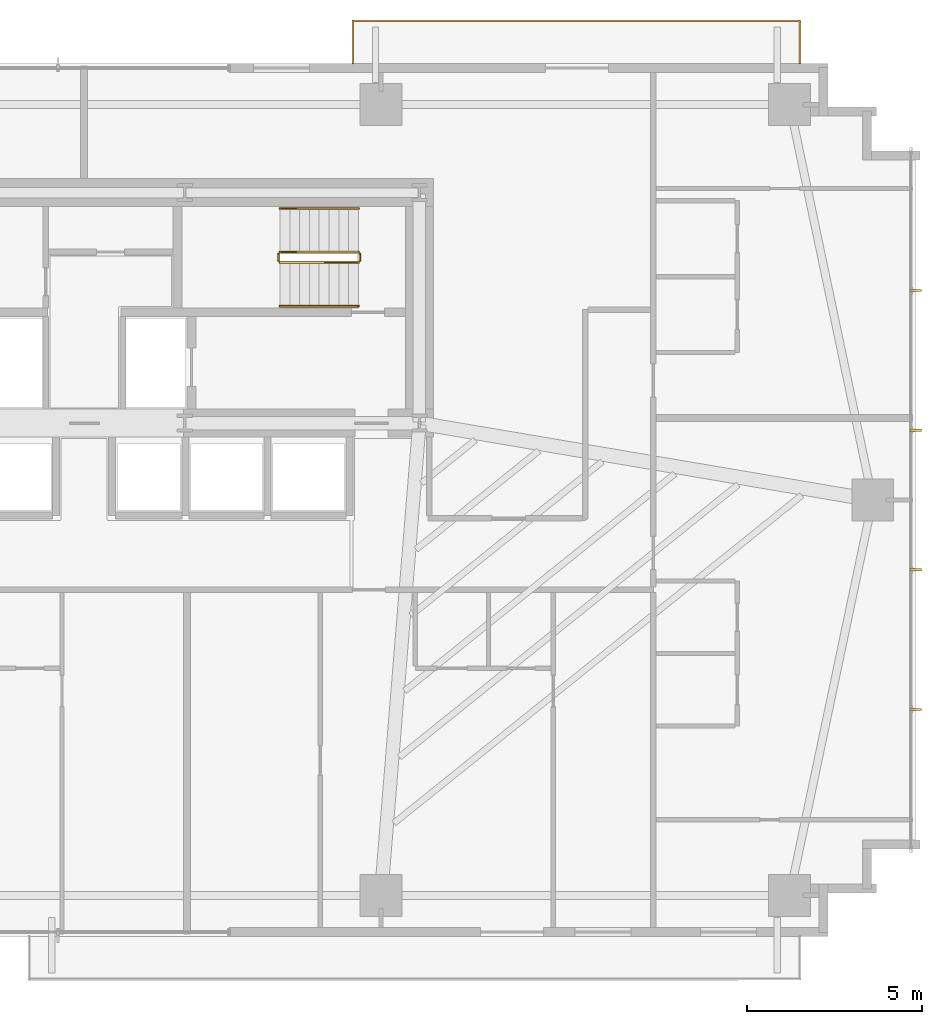
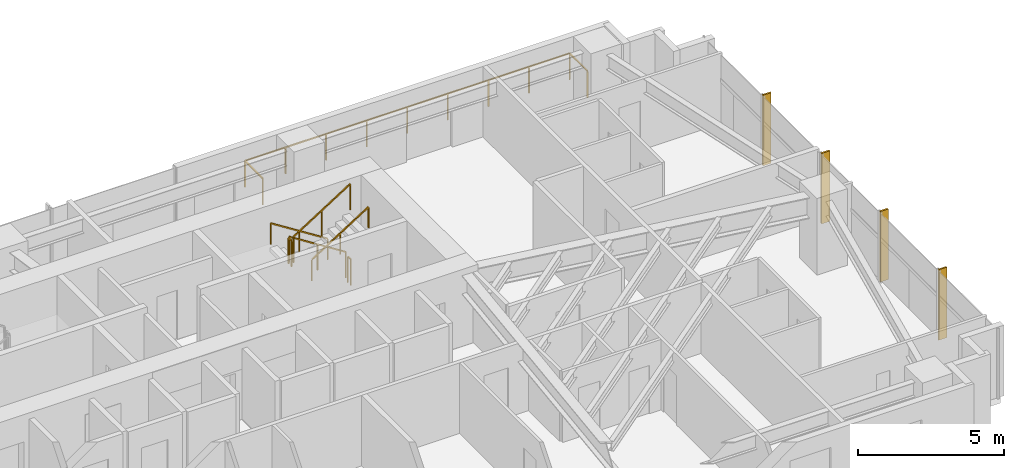
# One storey, part 25 of 25: 7 railings, 4 shading devices.
"""IFC4 building model written with IfcOpenShell, lengths in metres."""

from ifc_helpers import new_model, si_unit, direction, frame, origin, origin_2d, place, context, subcontext, project, spatial, rectangle, extrude, source, transform, mapped, material, type_object, type_shapes, element, save


model = new_model("IFC4")

# Units and contexts
model_context = context("Model", 3, precision=1e-05, world=origin(), true_north=direction((0.0, 1.0)))
body_context = subcontext(model_context, "Body", "Model", "MODEL_VIEW")
ifc_project = project(units=[si_unit("LENGTHUNIT", "METRE"), si_unit("AREAUNIT", "SQUARE_METRE"), si_unit("VOLUMEUNIT", "CUBIC_METRE"), si_unit("PLANEANGLEUNIT", "RADIAN"), si_unit("MASSUNIT", "GRAM", prefix="KILO")], contexts=[model_context])

# Site, building, storey
site_placement = place(None, origin())
site = spatial("IfcSite", under=ifc_project, at=site_placement, CompositionType="ELEMENT")
building_placement = place(site_placement, origin())
building = spatial("IfcBuilding", under=site, at=building_placement, Name="Astriad Promenade Condominiums", CompositionType="ELEMENT")
storey_placement = place(building_placement, frame((0.0, 0.0, 48.60009765625)))
storey = spatial("IfcBuildingStorey", under=building, at=storey_placement, Name="L13", CompositionType="ELEMENT", Elevation=48.60009765625)

# Shading devices
ifc_material_1 = material(Name="Anodised aluminium 6063-T6 Black Fin", Category="aluminium")
shading_device_type = type_object("IfcShadingDeviceType", Name="FIN-BLACK-320", PredefinedType="USERDEFINED", material=ifc_material_1)
shared_shape_1 = source(origin(), body_context, "Body", "SweptSolid", [
    extrude(rectangle(XDim=0.06494140625, YDim=0.320068359375, at=origin_2d()), origin(), (0.0, 0.0, 1.0), 2.93994140625),
])
type_shapes(shading_device_type, [shared_shape_1])
for number, where, z_axis, x_axis, name in (
    (1, (59.81005859375, 21.199951171875, 0.0), (0.0, 0.0, 1.0), (0.0, -1.0, 0.0), "CW-L13-E-FIN-01"),
    (2, (59.81005859375, 17.199951171875, 0.0), (0.0, 0.0, 1.0), (0.0, -1.0, 0.0), "CW-L13-E-FIN-02"),
    (3, (59.81005859375, 13.199951171875, 0.0), (0.0, 0.0, 1.0), (0.0, -1.0, 0.0), "CW-L13-E-FIN-03"),
    (4, (59.81005859375, 9.199951171875, 0.0), (0.0, 0.0, 1.0), (0.0, -1.0, 0.0), "CW-L13-E-FIN-04"),
):
    element("IfcShadingDevice", number, at=place(storey_placement, frame(where, z_axis=z_axis, x_axis=x_axis)), inside=storey, type_object=shading_device_type, Name=name, ObjectType="FIN", PredefinedType="USERDEFINED", context=body_context, shape_type="MappedRepresentation", body=[
        mapped(shared_shape_1, transform((0.0, 0.0, 0.0), scale=1.0)),
    ])

# Railings
ifc_material_2 = material(Name="Laminated Glass and Stainless Steel Balustrade", Category="steel")
railing_type_1 = type_object("IfcRailingType", Name="GRD-BALC-1120", PredefinedType="BALUSTRADE", material=ifc_material_2)
shared_shape_2 = source(origin(), body_context, "Body", "SweptSolid", [
    extrude(rectangle(XDim=0.048095703125, YDim=0.048095703125, at=origin_2d()), frame((0.0, 0.0, 1.09619140625), z_axis=(0.0, 1.0, 0.0), x_axis=(-1.0, 0.0, 0.0)), (0.0, 0.0, 1.0), 1.219970703125),
    extrude(rectangle(XDim=0.048095703125, YDim=0.048095703125, at=origin_2d()), frame((0.0, 1.219970703125, 1.09619140625), z_axis=(-1.0, 0.0, 0.0), x_axis=(0.0, -1.0, 0.0)), (0.0, 0.0, 1.0), 12.803955078125),
    extrude(rectangle(XDim=0.048095703125, YDim=0.048095703125, at=origin_2d()), frame((-12.803955078125, 1.219970703125, 1.09619140625), z_axis=(0.0, -1.0, 0.0), x_axis=(1.0, 0.0, 0.0)), (0.0, 0.0, 1.0), 1.219970703125),
    extrude(rectangle(XDim=0.0419921875, YDim=0.0419921875, at=origin_2d()), origin(), (0.0, 0.0, 1.0), 1.072021484375),
    extrude(rectangle(XDim=0.0419921875, YDim=0.0419921875, at=origin_2d()), frame((0.0, 1.219970703125, 0.0)), (0.0, 0.0, 1.0), 1.072021484375),
    extrude(rectangle(XDim=0.0419921875, YDim=0.0419921875, at=origin_2d()), frame((-1.6005859375, 1.219970703125, 0.0)), (0.0, 0.0, 1.0), 1.072021484375),
    extrude(rectangle(XDim=0.0419921875, YDim=0.0419921875, at=origin_2d()), frame((-3.200927734375, 1.219970703125, 0.0)), (0.0, 0.0, 1.0), 1.072021484375),
    extrude(rectangle(XDim=0.0419921875, YDim=0.0419921875, at=origin_2d()), frame((-4.801513671875, 1.219970703125, 0.0)), (0.0, 0.0, 1.0), 1.072021484375),
    extrude(rectangle(XDim=0.0419921875, YDim=0.0419921875, at=origin_2d()), frame((-6.40185546875, 1.219970703125, 0.0)), (0.0, 0.0, 1.0), 1.072021484375),
    extrude(rectangle(XDim=0.0419921875, YDim=0.0419921875, at=origin_2d()), frame((-8.00244140625, 1.219970703125, 0.0)), (0.0, 0.0, 1.0), 1.072021484375),
    extrude(rectangle(XDim=0.0419921875, YDim=0.0419921875, at=origin_2d()), frame((-9.60302734375, 1.219970703125, 0.0)), (0.0, 0.0, 1.0), 1.072021484375),
    extrude(rectangle(XDim=0.0419921875, YDim=0.0419921875, at=origin_2d()), frame((-11.203369140625, 1.219970703125, 0.0)), (0.0, 0.0, 1.0), 1.072021484375),
    extrude(rectangle(XDim=0.0419921875, YDim=0.0419921875, at=origin_2d()), frame((-12.803955078125, 1.219970703125, 0.0)), (0.0, 0.0, 1.0), 1.072021484375),
    extrude(rectangle(XDim=0.0419921875, YDim=0.0419921875, at=origin_2d()), frame((-12.803955078125, 0.0, 0.0)), (0.0, 0.0, 1.0), 1.072021484375),
])
type_shapes(railing_type_1, [shared_shape_2])
railing_1_placement = place(storey_placement, frame((56.493896484375, 27.699951171875, 0.0)))
element("IfcRailing", 5, at=railing_1_placement, inside=storey, type_object=railing_type_1, Name="GRD-BALC-L13-NE", PredefinedType="BALUSTRADE", context=body_context, shape_type="MappedRepresentation", body=[
    mapped(shared_shape_2, transform((0.0, 0.0, 0.0), scale=1.0)),
])
ifc_material_3 = material(Name="Painted Galvanised Steel Guardrail", Category="steel")
railing_type_2 = type_object("IfcRailingType", Name="GRD-STAIR-1100", PredefinedType="GUARDRAIL", material=ifc_material_3)
shared_shape_3 = source(origin(), body_context, "Body", "SweptSolid", [
    extrude(rectangle(XDim=0.048095703125, YDim=0.048095703125, at=origin_2d()), frame((0.0, 0.0, 1.076171875), z_axis=(0.84418770128, 0.0, 0.536047689118), x_axis=(0.0, 1.0, 0.0)), (0.0, 0.0, 1.0), 2.6533203125),
    extrude(rectangle(XDim=0.0419921875, YDim=0.0419921875, at=origin_2d()), origin(), (0.0, 0.0, 1.0), 1.052001953125),
    extrude(rectangle(XDim=0.0419921875, YDim=0.0419921875, at=origin_2d()), frame((1.1201171875, 0.0, 0.711181640625)), (0.0, 0.0, 1.0), 1.052001953125),
    extrude(rectangle(XDim=0.0419921875, YDim=0.0419921875, at=origin_2d()), frame((2.239990234375, 0.0, 1.42236328125)), (0.0, 0.0, 1.0), 1.052001953125),
])
railing_2_placement = place(storey_placement, frame((41.610107421875, 22.0, 1.777587890625)))
element("IfcRailing", 6, at=railing_2_placement, inside=storey, type_object=railing_type_2, Name="L13 ST-2 stair guard 3", PredefinedType="GUARDRAIL", context=body_context, shape_type="MappedRepresentation", body=[
    mapped(shared_shape_3, transform((0.0, 0.0, 0.0), scale=1.0)),
])
shared_shape_4 = source(origin(), body_context, "Body", "SweptSolid", [
    extrude(rectangle(XDim=0.048095703125, YDim=0.048095703125, at=origin_2d()), frame((0.0, 0.0, 1.076171875), z_axis=(-0.8442293374, 0.0, 0.53598211339), x_axis=(0.0, -1.0, 0.0)), (0.0, 0.0, 1.0), 2.6533203125),
    extrude(rectangle(XDim=0.0419921875, YDim=0.0419921875, at=origin_2d()), origin(), (0.0, 0.0, 1.0), 1.052001953125),
    extrude(rectangle(XDim=0.0419921875, YDim=0.0419921875, at=origin_2d()), frame((-1.1201171875, 0.0, 0.7109375)), (0.0, 0.0, 1.0), 1.052001953125),
    extrude(rectangle(XDim=0.0419921875, YDim=0.0419921875, at=origin_2d()), frame((-2.239990234375, 0.0, 1.422119140625)), (0.0, 0.0, 1.0), 1.052001953125),
])
railing_3_placement = place(storey_placement, frame((43.85009765625, 22.300048828125, 0.177734375)))
element("IfcRailing", 7, at=railing_3_placement, inside=storey, type_object=railing_type_2, Name="L13 ST-2 stair guard 1", PredefinedType="GUARDRAIL", context=body_context, shape_type="MappedRepresentation", body=[
    mapped(shared_shape_4, transform((0.0, 0.0, 0.0), scale=1.0)),
])
ifc_material_4 = material(Name="Brushed Stainless Steel Handrail", Category="steel")
railing_type_3 = type_object("IfcRailingType", Name="HRL-STAIR-920", PredefinedType="HANDRAIL", material=ifc_material_4)
shared_shape_5 = source(origin(), body_context, "Body", "SweptSolid", [
    extrude(rectangle(XDim=0.048095703125, YDim=0.048095703125, at=origin_2d()), frame((0.0, 0.0, 0.8759765625), z_axis=(0.84418770128, 0.0, 0.536047689118), x_axis=(0.0, 1.0, 0.0)), (0.0, 0.0, 1.0), 2.6533203125),
    extrude(rectangle(XDim=0.0419921875, YDim=0.0419921875, at=origin_2d()), origin(), (0.0, 0.0, 1.0), 0.851806640625),
    extrude(rectangle(XDim=0.0419921875, YDim=0.0419921875, at=origin_2d()), frame((1.1201171875, 0.0, 0.711181640625)), (0.0, 0.0, 1.0), 0.851806640625),
    extrude(rectangle(XDim=0.0419921875, YDim=0.0419921875, at=origin_2d()), frame((2.239990234375, 0.0, 1.42236328125)), (0.0, 0.0, 1.0), 0.851806640625),
])
railing_4_placement = place(storey_placement, frame((41.610107421875, 20.75, 1.777587890625)))
element("IfcRailing", 8, at=railing_4_placement, inside=storey, type_object=railing_type_3, Name="L13 ST-2 stair handrail 2", PredefinedType="HANDRAIL", context=body_context, shape_type="MappedRepresentation", body=[
    mapped(shared_shape_5, transform((0.0, 0.0, 0.0), scale=1.0)),
])
shared_shape_6 = source(origin(), body_context, "Body", "SweptSolid", [
    extrude(rectangle(XDim=0.048095703125, YDim=0.048095703125, at=origin_2d()), frame((0.0, 0.0, 0.8759765625), z_axis=(-0.8442293374, 0.0, 0.53598211339), x_axis=(0.0, -1.0, 0.0)), (0.0, 0.0, 1.0), 2.6533203125),
    extrude(rectangle(XDim=0.0419921875, YDim=0.0419921875, at=origin_2d()), origin(), (0.0, 0.0, 1.0), 0.851806640625),
    extrude(rectangle(XDim=0.0419921875, YDim=0.0419921875, at=origin_2d()), frame((-1.1201171875, 0.0, 0.7109375)), (0.0, 0.0, 1.0), 0.851806640625),
    extrude(rectangle(XDim=0.0419921875, YDim=0.0419921875, at=origin_2d()), frame((-2.239990234375, 0.0, 1.422119140625)), (0.0, 0.0, 1.0), 0.851806640625),
])
type_shapes(railing_type_3, [shared_shape_5, shared_shape_6])
railing_5_placement = place(storey_placement, frame((43.85009765625, 23.550048828125, 0.177734375)))
element("IfcRailing", 9, at=railing_5_placement, inside=storey, type_object=railing_type_3, Name="L13 ST-2 stair handrail 1", PredefinedType="HANDRAIL", context=body_context, shape_type="MappedRepresentation", body=[
    mapped(shared_shape_6, transform((0.0, 0.0, 0.0), scale=1.0)),
])
shared_shape_7 = source(origin(), body_context, "Body", "SweptSolid", [
    extrude(rectangle(XDim=0.048095703125, YDim=0.048095703125, at=origin_2d()), frame((0.0, 0.0, 1.076171875), z_axis=(0.0, -1.0, 0.0), x_axis=(1.0, 0.0, 0.0)), (0.0, 0.0, 1.0), 0.199951171875),
    extrude(rectangle(XDim=0.0419921875, YDim=0.0419921875, at=origin_2d()), origin(), (0.0, 0.0, 1.0), 1.052001953125),
    extrude(rectangle(XDim=0.0419921875, YDim=0.0419921875, at=origin_2d()), frame((0.0, -0.199951171875, 0.0)), (0.0, 0.0, 1.0), 1.052001953125),
])
type_shapes(railing_type_2, [shared_shape_3, shared_shape_4, shared_shape_7])
for number, where, name in (
    (10, (41.56005859375, 22.25, 1.599853515625), "L13 ST-2 stair guard 2"),
    (11, (43.89990234375, 22.25, 0.0), "L13 ST-2 stair guard 4"),
):
    element("IfcRailing", number, at=place(storey_placement, frame(where)), inside=storey, type_object=railing_type_2, Name=name, PredefinedType="GUARDRAIL", context=body_context, shape_type="MappedRepresentation", body=[
        mapped(shared_shape_7, transform((0.0, 0.0, 0.0), scale=1.0)),
    ])

save(model, "model.ifc")
